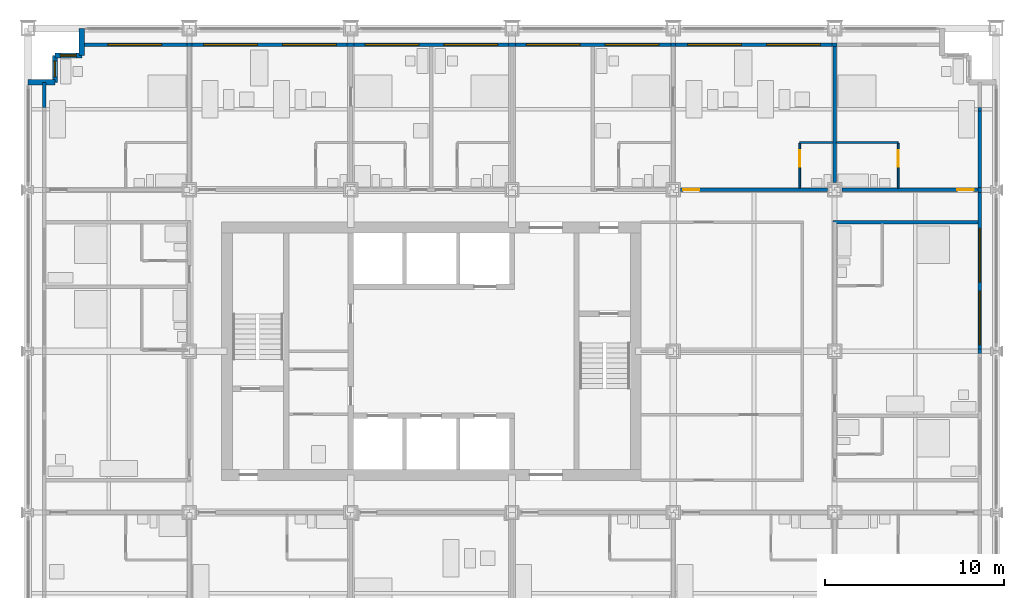
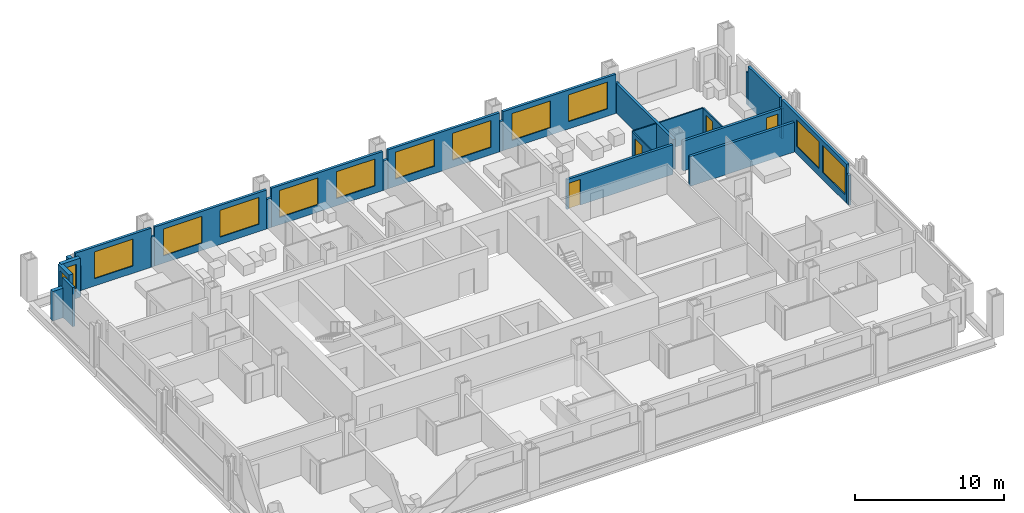
# One storey, part 14 of 18: 28 walls, 13 windows, 4 doors, 17 openings.
"""IFC4 building model written with IfcOpenShell, lengths in metres."""

from ifc_helpers import new_model, si_unit, direction, frame, frame_2d, origin, place, context, subcontext, project, spatial, rectangle, extrude, material, layer, layer_set, type_object, element, fill, save


model = new_model("IFC4")

# Units and contexts
model_context = context("Model", 3, precision=1e-05, world=origin(), true_north=direction((0.0, 1.0)))
body_context = subcontext(model_context, "Body", "Model", "MODEL_VIEW")
ifc_project = project(units=[si_unit("LENGTHUNIT", "METRE"), si_unit("AREAUNIT", "SQUARE_METRE"), si_unit("VOLUMEUNIT", "CUBIC_METRE"), si_unit("PLANEANGLEUNIT", "RADIAN"), si_unit("MASSUNIT", "GRAM", prefix="KILO")], contexts=[model_context])

# Site, building, storey
site_placement = place(None, origin())
site = spatial("IfcSite", under=ifc_project, at=site_placement, CompositionType="ELEMENT")
building_placement = place(site_placement, origin())
building = spatial("IfcBuilding", under=site, at=building_placement, Name="Loomwork Tower", CompositionType="ELEMENT")
storey_placement = place(building_placement, frame((0.0, 0.0, 48.39990234375)))
storey = spatial("IfcBuildingStorey", under=building, at=storey_placement, Name="L11", CompositionType="ELEMENT", Elevation=48.39990234375)

# Wall, opening, door
ifc_material_1 = material(Name="Gypsum board on steel studs, one-hour", Category="steel")
ifc_layer_1 = layer(ifc_material_1, 0.199951171875)
ifc_layer_set_1 = layer_set([ifc_layer_1], Name="Corridor wall 200")
wall_type_1 = type_object("IfcWallType", Name="Corridor wall 200", PredefinedType="PARTITIONING", material=ifc_layer_set_1)
wall_1_placement = place(storey_placement, frame((36.39990234375, 27.0, 0.0), z_axis=(0.0, 0.0, 1.0), x_axis=(1.0, 0.0, 0.0)))
wall_1 = element("IfcWall", 1, at=wall_1_placement, inside=storey, type_object=wall_type_1, Name="North corridor wall 5", PredefinedType="PARTITIONING", context=body_context, shape_type="SweptSolid", body=[
    extrude(rectangle(XDim=8.2001953125, YDim=0.199951171875, at=frame_2d((4.10009765625, 0.0))), origin(), (0.0, 0.0, 1.0), 2.43798828125),
])
opening_1_placement = place(wall_1_placement, frame((0.14990234375, 0.0, 0.0)))
opening_1 = element("IfcOpeningElement", 2, at=opening_1_placement, cuts=wall_1, Name="Opening D1", PredefinedType="OPENING", context=body_context, shape_type="SweptSolid", body=[
    extrude(rectangle(XDim=0.89990234375, YDim=2.10009765625, at=frame_2d((0.449951171875, 1.050048828125))), frame((0.0, 0.10986328125, 0.0), z_axis=(0.0, -1.0, 0.0), x_axis=(1.0, 0.0, 0.0)), (0.0, 0.0, 1.0), 0.219970703125),
])
ifc_material_2 = material(Name="Hollow metal door and frame")
door_type_1 = type_object("IfcDoorType", Name="Guest room entry door 900", OperationType="SINGLE_SWING_LEFT", PredefinedType="DOOR", material=ifc_material_2)
door_1_placement = place(opening_1_placement, origin())
door_1 = element("IfcDoor", 3, at=door_1_placement, inside=storey, type_object=door_type_1, Name="Guest room entry door L11 12", OperationType="SINGLE_SWING_LEFT", OverallHeight=2.10009765625, OverallWidth=0.89990234375, PredefinedType="DOOR", context=body_context, shape_type="SweptSolid", body=[
    extrude(rectangle(XDim=0.89990234375, YDim=2.10009765625, at=frame_2d((0.449951171875, 1.050048828125))), frame((0.0, 0.02490234375, 0.0), z_axis=(0.0, -1.0, 0.0), x_axis=(1.0, 0.0, 0.0)), (0.0, 0.0, 1.0), 0.050048828125),
])
fill(opening_1, door_1)

wall_2_placement = place(storey_placement, frame((45.39990234375, 27.0, 0.0), z_axis=(0.0, 0.0, 1.0), x_axis=(1.0, 0.0, 0.0)))
wall_2 = element("IfcWall", 4, at=wall_2_placement, inside=storey, type_object=wall_type_1, Name="North corridor wall 6", PredefinedType="PARTITIONING", context=body_context, shape_type="SweptSolid", body=[
    extrude(rectangle(XDim=7.60009765625, YDim=0.199951171875, at=frame_2d((3.800048828125, 0.0))), origin(), (0.0, 0.0, 1.0), 2.43798828125),
])
opening_2_placement = place(wall_2_placement, frame((6.449951171875, 0.0, 0.0)))
opening_2 = element("IfcOpeningElement", 5, at=opening_2_placement, cuts=wall_2, Name="Opening D1", PredefinedType="OPENING", context=body_context, shape_type="SweptSolid", body=[
    extrude(rectangle(XDim=0.89990234375, YDim=2.10009765625, at=frame_2d((0.449951171875, 1.050048828125))), frame((0.0, 0.10986328125, 0.0), z_axis=(0.0, -1.0, 0.0), x_axis=(1.0, 0.0, 0.0)), (0.0, 0.0, 1.0), 0.219970703125),
])
door_2_placement = place(opening_2_placement, origin())
door_2 = element("IfcDoor", 6, at=door_2_placement, inside=storey, type_object=door_type_1, Name="Guest room entry door L11 13", OperationType="SINGLE_SWING_RIGHT", OverallHeight=2.10009765625, OverallWidth=0.89990234375, PredefinedType="DOOR", context=body_context, shape_type="SweptSolid", body=[
    extrude(rectangle(XDim=0.89990234375, YDim=2.10009765625, at=frame_2d((0.449951171875, 1.050048828125))), frame((0.0, 0.02490234375, 0.0), z_axis=(0.0, -1.0, 0.0), x_axis=(1.0, 0.0, 0.0)), (0.0, 0.0, 1.0), 0.050048828125),
])
fill(opening_2, door_2)

# Walls
wall_3_placement = place(storey_placement, frame((44.89990234375, 25.199951171875, 0.0), z_axis=(0.0, 0.0, 1.0), x_axis=(1.0, 0.0, 0.0)))
element("IfcWall", 7, at=wall_3_placement, inside=storey, type_object=wall_type_1, Name="East band end wall N", PredefinedType="PARTITIONING", context=body_context, shape_type="SweptSolid", body=[
    extrude(rectangle(XDim=8.10009765625, YDim=0.199951171875, at=frame_2d((4.050048828125, 0.0))), origin(), (0.0, 0.0, 1.0), 2.43798828125),
])
ifc_material_3 = material(Name="Cement board on steel studs", Category="steel")
ifc_layer_2 = layer(ifc_material_3, 0.10009765625)
ifc_layer_set_2 = layer_set([ifc_layer_2], Name="En-suite partition 100")
wall_type_2 = type_object("IfcWallType", Name="En-suite partition 100", PredefinedType="PARTITIONING", material=ifc_layer_set_2)
wall_4_placement = place(storey_placement, frame((43.050048828125, 29.64990234375, 0.0), z_axis=(0.0, 0.0, 1.0), x_axis=(1.0, 0.0, 0.0)))
element("IfcWall", 8, at=wall_4_placement, inside=storey, type_object=wall_type_2, Name="En-suite wall L11 room 12", PredefinedType="PARTITIONING", context=body_context, shape_type="SweptSolid", body=[
    extrude(rectangle(XDim=1.849853515625, YDim=0.10009765625, at=frame_2d((0.9248046875, 0.0))), origin(), (0.0, 0.0, 1.0), 2.43798828125),
])

# Wall, opening, door
wall_5_placement = place(storey_placement, frame((43.050048828125, 27.10009765625, 0.0), z_axis=(0.0, 0.0, 1.0), x_axis=(0.0, 1.0, 0.0)))
wall_5 = element("IfcWall", 9, at=wall_5_placement, inside=storey, type_object=wall_type_2, Name="En-suite side wall L11 room 12", PredefinedType="PARTITIONING", context=body_context, shape_type="SweptSolid", body=[
    extrude(rectangle(XDim=2.5, YDim=0.10009765625, at=frame_2d((1.25, 0.0))), origin(), (0.0, 0.0, 1.0), 2.43798828125),
])
opening_3_placement = place(wall_5_placement, frame((1.199951171875, 0.0, 0.0)))
opening_3 = element("IfcOpeningElement", 10, at=opening_3_placement, cuts=wall_5, Name="Opening D2", PredefinedType="OPENING", context=body_context, shape_type="SweptSolid", body=[
    extrude(rectangle(XDim=0.89990234375, YDim=2.10009765625, at=frame_2d((0.449951171875, 1.050048828125))), frame((0.0, 0.06005859375, 0.0), z_axis=(0.0, -1.0, 0.0), x_axis=(1.0, 0.0, 0.0)), (0.0, 0.0, 1.0), 0.1201171875),
])
ifc_material_4 = material(Name="Hollow metal door and frame")
door_type_2 = type_object("IfcDoorType", Name="En-suite door 900", OperationType="SINGLE_SWING_LEFT", PredefinedType="DOOR", material=ifc_material_4)
door_3_placement = place(opening_3_placement, frame((0.89990234375, 0.0, 0.0), z_axis=(0.0, 0.0, 1.0), x_axis=(-1.0, 0.0, 0.0)))
door_3 = element("IfcDoor", 11, at=door_3_placement, inside=storey, type_object=door_type_2, Name="Suite powder room door room 12", OperationType="SINGLE_SWING_LEFT", OverallHeight=2.10009765625, OverallWidth=0.89990234375, PredefinedType="DOOR", context=body_context, shape_type="SweptSolid", body=[
    extrude(rectangle(XDim=0.89990234375, YDim=2.10009765625, at=frame_2d((0.449951171875, 1.050048828125))), frame((0.0, 0.02490234375, 0.0), z_axis=(0.0, -1.0, 0.0), x_axis=(1.0, 0.0, 0.0)), (0.0, 0.0, 1.0), 0.050048828125),
])
fill(opening_3, door_3)

# Wall
wall_6_placement = place(storey_placement, frame((45.10009765625, 29.64990234375, 0.0), z_axis=(0.0, 0.0, 1.0), x_axis=(1.0, 0.0, 0.0)))
element("IfcWall", 12, at=wall_6_placement, inside=storey, type_object=wall_type_2, Name="En-suite wall L11 room 13", PredefinedType="PARTITIONING", context=body_context, shape_type="SweptSolid", body=[
    extrude(rectangle(XDim=3.449951171875, YDim=0.10009765625, at=frame_2d((1.72509765625, 0.0))), origin(), (0.0, 0.0, 1.0), 2.43798828125),
])

# Wall, opening, door
wall_7_placement = place(storey_placement, frame((48.550048828125, 27.10009765625, 0.0), z_axis=(0.0, 0.0, 1.0), x_axis=(0.0, 1.0, 0.0)))
wall_7 = element("IfcWall", 13, at=wall_7_placement, inside=storey, type_object=wall_type_2, Name="En-suite side wall L11 room 13", PredefinedType="PARTITIONING", context=body_context, shape_type="SweptSolid", body=[
    extrude(rectangle(XDim=2.5, YDim=0.10009765625, at=frame_2d((1.25, 0.0))), origin(), (0.0, 0.0, 1.0), 2.43798828125),
])
opening_4_placement = place(wall_7_placement, frame((1.199951171875, 0.0, 0.0)))
opening_4 = element("IfcOpeningElement", 14, at=opening_4_placement, cuts=wall_7, Name="Opening D2", PredefinedType="OPENING", context=body_context, shape_type="SweptSolid", body=[
    extrude(rectangle(XDim=0.89990234375, YDim=2.10009765625, at=frame_2d((0.449951171875, 1.050048828125))), frame((0.0, 0.06005859375, 0.0), z_axis=(0.0, -1.0, 0.0), x_axis=(1.0, 0.0, 0.0)), (0.0, 0.0, 1.0), 0.1201171875),
])
door_4_placement = place(opening_4_placement, origin())
door_4 = element("IfcDoor", 15, at=door_4_placement, inside=storey, type_object=door_type_2, Name="En-suite door room 13", OperationType="SINGLE_SWING_RIGHT", OverallHeight=2.10009765625, OverallWidth=0.89990234375, PredefinedType="DOOR", context=body_context, shape_type="SweptSolid", body=[
    extrude(rectangle(XDim=0.89990234375, YDim=2.10009765625, at=frame_2d((0.449951171875, 1.050048828125))), frame((0.0, 0.02490234375, 0.0), z_axis=(0.0, -1.0, 0.0), x_axis=(1.0, 0.0, 0.0)), (0.0, 0.0, 1.0), 0.050048828125),
])
fill(opening_4, door_4)

# Wall
ifc_material_5 = material(Name="Gypsum board on steel studs, acoustic", Category="steel")
ifc_layer_3 = layer(ifc_material_5, 0.199951171875)
ifc_layer_set_3 = layer_set([ifc_layer_3], Name="Guest room party wall 200")
wall_type_3 = type_object("IfcWallType", Name="Guest room party wall 200", PredefinedType="PARTITIONING", material=ifc_layer_set_3)
wall_8_placement = place(storey_placement, frame((45.0, 27.39990234375, 0.0), z_axis=(0.0, 0.0, 1.0), x_axis=(0.0, 1.0, 0.0)))
element("IfcWall", 16, at=wall_8_placement, inside=storey, type_object=wall_type_3, Name="Guest room party wall N 45", PredefinedType="PARTITIONING", context=body_context, shape_type="SweptSolid", body=[
    extrude(rectangle(XDim=7.60009765625, YDim=0.199951171875, at=frame_2d((3.800048828125, 0.0))), origin(), (0.0, 0.0, 1.0), 2.43798828125),
])

# Wall, opening, window
ifc_material_6 = material(Name="Insulated steel stud wall with gypsum lining", Category="steel")
ifc_layer_4 = layer(ifc_material_6, 0.199951171875)
ifc_layer_set_4 = layer_set([ifc_layer_4], Name="Inner skin wall 200")
wall_type_4 = type_object("IfcWallType", Name="Inner skin wall 200", PredefinedType="SOLIDWALL", material=ifc_layer_set_4)
wall_9_placement = place(storey_placement, frame((3.0, 35.10009765625, 0.0), z_axis=(0.0, 0.0, 1.0), x_axis=(1.0, 0.0, 0.0)))
wall_9 = element("IfcWall", 17, at=wall_9_placement, inside=storey, type_object=wall_type_4, Name="Inner skin wall N", PredefinedType="SOLIDWALL", context=body_context, shape_type="SweptSolid", body=[
    extrude(rectangle(XDim=5.86474609375, YDim=0.199951171875, at=frame_2d((2.932373046875, 0.0))), origin(), (0.0, 0.0, 1.0), 3.2001953125),
])
opening_5_placement = place(wall_9_placement, frame((1.449951171875, 0.0, 0.60009765625)))
opening_5 = element("IfcOpeningElement", 18, at=opening_5_placement, cuts=wall_9, Name="Opening CH1", PredefinedType="OPENING", context=body_context, shape_type="SweptSolid", body=[
    extrude(rectangle(XDim=3.0, YDim=2.199951171875, at=frame_2d((1.5, 1.10009765625))), frame((0.0, 0.10986328125, 0.0), z_axis=(0.0, -1.0, 0.0), x_axis=(1.0, 0.0, 0.0)), (0.0, 0.0, 1.0), 0.219970703125),
])
ifc_material_7 = material(Name="Aluminium frame with clear insulated glass", Category="aluminium")
window_type_1 = type_object("IfcWindowType", Name="Chicago window 3000", PartitioningType="TRIPLE_PANEL_VERTICAL", PredefinedType="WINDOW", material=ifc_material_7)
window_1_placement = place(opening_5_placement, origin())
window_1 = element("IfcWindow", 19, at=window_1_placement, inside=storey, type_object=window_type_1, Name="Chicago window L11 bay 7", OverallHeight=2.199951171875, OverallWidth=3.0, PartitioningType="TRIPLE_PANEL_VERTICAL", PredefinedType="WINDOW", context=body_context, shape_type="SweptSolid", body=[
    extrude(rectangle(XDim=3.0, YDim=2.199951171875, at=frame_2d((1.5, 1.10009765625))), frame((0.0, 0.030029296875, 0.0), z_axis=(0.0, -1.0, 0.0), x_axis=(1.0, 0.0, 0.0)), (0.0, 0.0, 1.0), 0.06005859375),
])
fill(opening_5, window_1)

# Walls
wall_10_placement = place(storey_placement, frame((0.89990234375, 31.607421875, 0.0), z_axis=(0.0, 0.0, 1.0), x_axis=(0.0, 1.0, 0.0)))
element("IfcWall", 20, at=wall_10_placement, inside=storey, type_object=wall_type_4, Name="Inner skin wall W bay 11", PredefinedType="SOLIDWALL", context=body_context, shape_type="SweptSolid", body=[
    extrude(rectangle(XDim=1.392578125, YDim=0.199951171875, at=frame_2d((0.6962890625, 0.0))), origin(), (0.0, 0.0, 1.0), 3.2001953125),
])
wall_11_placement = place(storey_placement, frame((8.86474609375, 35.10009765625, 0.0), z_axis=(0.0, 0.0, 1.0), x_axis=(1.0, 0.0, 0.0)))
element("IfcWall", 21, at=wall_11_placement, inside=storey, type_object=wall_type_4, Name="Inner skin wall N bay 2", PredefinedType="SOLIDWALL", context=body_context, shape_type="SweptSolid", body=[
    extrude(rectangle(XDim=0.2705078125, YDim=0.199951171875, at=frame_2d((0.13525390625, 0.0))), origin(), (0.0, 0.0, 1.0), 2.43798828125),
])

# Wall, openings, windows
wall_12_placement = place(storey_placement, frame((9.13525390625, 35.10009765625, 0.0), z_axis=(0.0, 0.0, 1.0), x_axis=(1.0, 0.0, 0.0)))
wall_12 = element("IfcWall", 22, at=wall_12_placement, inside=storey, type_object=wall_type_4, Name="Inner skin wall N bay 3", PredefinedType="SOLIDWALL", context=body_context, shape_type="SweptSolid", body=[
    extrude(rectangle(XDim=8.6708984375, YDim=0.199951171875, at=frame_2d((4.33544921875, 0.0))), origin(), (0.0, 0.0, 1.0), 3.2001953125),
])
opening_6_placement = place(wall_12_placement, frame((0.664794921875, 0.0, 0.60009765625)))
opening_6 = element("IfcOpeningElement", 23, at=opening_6_placement, cuts=wall_12, Name="Opening CH1", PredefinedType="OPENING", context=body_context, shape_type="SweptSolid", body=[
    extrude(rectangle(XDim=3.0, YDim=2.199951171875, at=frame_2d((1.5, 1.10009765625))), frame((0.0, 0.10986328125, 0.0), z_axis=(0.0, -1.0, 0.0), x_axis=(1.0, 0.0, 0.0)), (0.0, 0.0, 1.0), 0.219970703125),
])
opening_7_placement = place(wall_12_placement, frame((5.064697265625, 0.0, 0.60009765625)))
opening_7 = element("IfcOpeningElement", 24, at=opening_7_placement, cuts=wall_12, Name="Opening CH1", PredefinedType="OPENING", context=body_context, shape_type="SweptSolid", body=[
    extrude(rectangle(XDim=3.0, YDim=2.199951171875, at=frame_2d((1.5, 1.10009765625))), frame((0.0, 0.10986328125, 0.0), z_axis=(0.0, -1.0, 0.0), x_axis=(1.0, 0.0, 0.0)), (0.0, 0.0, 1.0), 0.219970703125),
])
window_2_placement = place(opening_6_placement, origin())
window_2 = element("IfcWindow", 25, at=window_2_placement, inside=storey, type_object=window_type_1, Name="Chicago window L11 bay 8", OverallHeight=2.199951171875, OverallWidth=3.0, PartitioningType="TRIPLE_PANEL_VERTICAL", PredefinedType="WINDOW", context=body_context, shape_type="SweptSolid", body=[
    extrude(rectangle(XDim=3.0, YDim=2.199951171875, at=frame_2d((1.5, 1.10009765625))), frame((0.0, 0.030029296875, 0.0), z_axis=(0.0, -1.0, 0.0), x_axis=(1.0, 0.0, 0.0)), (0.0, 0.0, 1.0), 0.06005859375),
])
fill(opening_6, window_2)
window_3_placement = place(opening_7_placement, origin())
window_3 = element("IfcWindow", 26, at=window_3_placement, inside=storey, type_object=window_type_1, Name="Chicago window L11 bay 8", OverallHeight=2.199951171875, OverallWidth=3.0, PartitioningType="TRIPLE_PANEL_VERTICAL", PredefinedType="WINDOW", context=body_context, shape_type="SweptSolid", body=[
    extrude(rectangle(XDim=3.0, YDim=2.199951171875, at=frame_2d((1.5, 1.10009765625))), frame((0.0, 0.030029296875, 0.0), z_axis=(0.0, -1.0, 0.0), x_axis=(1.0, 0.0, 0.0)), (0.0, 0.0, 1.0), 0.06005859375),
])
fill(opening_7, window_3)

# Wall
wall_13_placement = place(storey_placement, frame((17.80615234375, 35.10009765625, 0.0), z_axis=(0.0, 0.0, 1.0), x_axis=(1.0, 0.0, 0.0)))
element("IfcWall", 27, at=wall_13_placement, inside=storey, type_object=wall_type_4, Name="Inner skin wall N bay 4", PredefinedType="SOLIDWALL", context=body_context, shape_type="SweptSolid", body=[
    extrude(rectangle(XDim=0.3876953125, YDim=0.199951171875, at=frame_2d((0.19384765625, 0.0))), origin(), (0.0, 0.0, 1.0), 2.404052734375),
])

# Wall, openings, windows
wall_14_placement = place(storey_placement, frame((18.19384765625, 35.10009765625, 0.0), z_axis=(0.0, 0.0, 1.0), x_axis=(1.0, 0.0, 0.0)))
wall_14 = element("IfcWall", 28, at=wall_14_placement, inside=storey, type_object=wall_type_4, Name="Inner skin wall N bay 5", PredefinedType="SOLIDWALL", context=body_context, shape_type="SweptSolid", body=[
    extrude(rectangle(XDim=8.6123046875, YDim=0.199951171875, at=frame_2d((4.30615234375, 0.0))), origin(), (0.0, 0.0, 1.0), 3.2001953125),
])
opening_8_placement = place(wall_14_placement, frame((0.606201171875, 0.0, 0.60009765625)))
opening_8 = element("IfcOpeningElement", 29, at=opening_8_placement, cuts=wall_14, Name="Opening CH1", PredefinedType="OPENING", context=body_context, shape_type="SweptSolid", body=[
    extrude(rectangle(XDim=3.0, YDim=2.199951171875, at=frame_2d((1.5, 1.10009765625))), frame((0.0, 0.10986328125, 0.0), z_axis=(0.0, -1.0, 0.0), x_axis=(1.0, 0.0, 0.0)), (0.0, 0.0, 1.0), 0.219970703125),
])
opening_9_placement = place(wall_14_placement, frame((5.006103515625, 0.0, 0.60009765625)))
opening_9 = element("IfcOpeningElement", 30, at=opening_9_placement, cuts=wall_14, Name="Opening CH1", PredefinedType="OPENING", context=body_context, shape_type="SweptSolid", body=[
    extrude(rectangle(XDim=3.0, YDim=2.199951171875, at=frame_2d((1.5, 1.10009765625))), frame((0.0, 0.10986328125, 0.0), z_axis=(0.0, -1.0, 0.0), x_axis=(1.0, 0.0, 0.0)), (0.0, 0.0, 1.0), 0.219970703125),
])
window_4_placement = place(opening_8_placement, origin())
window_4 = element("IfcWindow", 31, at=window_4_placement, inside=storey, type_object=window_type_1, Name="Chicago window L11 bay 9", OverallHeight=2.199951171875, OverallWidth=3.0, PartitioningType="TRIPLE_PANEL_VERTICAL", PredefinedType="WINDOW", context=body_context, shape_type="SweptSolid", body=[
    extrude(rectangle(XDim=3.0, YDim=2.199951171875, at=frame_2d((1.5, 1.10009765625))), frame((0.0, 0.030029296875, 0.0), z_axis=(0.0, -1.0, 0.0), x_axis=(1.0, 0.0, 0.0)), (0.0, 0.0, 1.0), 0.06005859375),
])
fill(opening_8, window_4)
window_5_placement = place(opening_9_placement, origin())
window_5 = element("IfcWindow", 32, at=window_5_placement, inside=storey, type_object=window_type_1, Name="Chicago window L11 bay 9", OverallHeight=2.199951171875, OverallWidth=3.0, PartitioningType="TRIPLE_PANEL_VERTICAL", PredefinedType="WINDOW", context=body_context, shape_type="SweptSolid", body=[
    extrude(rectangle(XDim=3.0, YDim=2.199951171875, at=frame_2d((1.5, 1.10009765625))), frame((0.0, 0.030029296875, 0.0), z_axis=(0.0, -1.0, 0.0), x_axis=(1.0, 0.0, 0.0)), (0.0, 0.0, 1.0), 0.06005859375),
])
fill(opening_9, window_5)

# Wall
wall_15_placement = place(storey_placement, frame((26.80615234375, 35.10009765625, 0.0), z_axis=(0.0, 0.0, 1.0), x_axis=(1.0, 0.0, 0.0)))
element("IfcWall", 33, at=wall_15_placement, inside=storey, type_object=wall_type_4, Name="Inner skin wall N bay 6", PredefinedType="SOLIDWALL", context=body_context, shape_type="SweptSolid", body=[
    extrude(rectangle(XDim=0.3876953125, YDim=0.199951171875, at=frame_2d((0.19384765625, 0.0))), origin(), (0.0, 0.0, 1.0), 2.404052734375),
])

# Wall, openings, windows
wall_16_placement = place(storey_placement, frame((27.19384765625, 35.10009765625, 0.0), z_axis=(0.0, 0.0, 1.0), x_axis=(1.0, 0.0, 0.0)))
wall_16 = element("IfcWall", 34, at=wall_16_placement, inside=storey, type_object=wall_type_4, Name="Inner skin wall N bay 7", PredefinedType="SOLIDWALL", context=body_context, shape_type="SweptSolid", body=[
    extrude(rectangle(XDim=8.670654296875, YDim=0.199951171875, at=frame_2d((4.33544921875, 0.0))), origin(), (0.0, 0.0, 1.0), 3.2001953125),
])
opening_10_placement = place(wall_16_placement, frame((0.606201171875, 0.0, 0.60009765625)))
opening_10 = element("IfcOpeningElement", 35, at=opening_10_placement, cuts=wall_16, Name="Opening CH1", PredefinedType="OPENING", context=body_context, shape_type="SweptSolid", body=[
    extrude(rectangle(XDim=3.0, YDim=2.199951171875, at=frame_2d((1.5, 1.10009765625))), frame((0.0, 0.10986328125, 0.0), z_axis=(0.0, -1.0, 0.0), x_axis=(1.0, 0.0, 0.0)), (0.0, 0.0, 1.0), 0.219970703125),
])
opening_11_placement = place(wall_16_placement, frame((5.006103515625, 0.0, 0.60009765625)))
opening_11 = element("IfcOpeningElement", 36, at=opening_11_placement, cuts=wall_16, Name="Opening CH1", PredefinedType="OPENING", context=body_context, shape_type="SweptSolid", body=[
    extrude(rectangle(XDim=3.0, YDim=2.199951171875, at=frame_2d((1.5, 1.10009765625))), frame((0.0, 0.10986328125, 0.0), z_axis=(0.0, -1.0, 0.0), x_axis=(1.0, 0.0, 0.0)), (0.0, 0.0, 1.0), 0.219970703125),
])
window_6_placement = place(opening_10_placement, origin())
window_6 = element("IfcWindow", 37, at=window_6_placement, inside=storey, type_object=window_type_1, Name="Chicago window L11 bay 10", OverallHeight=2.199951171875, OverallWidth=3.0, PartitioningType="TRIPLE_PANEL_VERTICAL", PredefinedType="WINDOW", context=body_context, shape_type="SweptSolid", body=[
    extrude(rectangle(XDim=3.0, YDim=2.199951171875, at=frame_2d((1.5, 1.10009765625))), frame((0.0, 0.030029296875, 0.0), z_axis=(0.0, -1.0, 0.0), x_axis=(1.0, 0.0, 0.0)), (0.0, 0.0, 1.0), 0.06005859375),
])
fill(opening_10, window_6)
window_7_placement = place(opening_11_placement, origin())
window_7 = element("IfcWindow", 38, at=window_7_placement, inside=storey, type_object=window_type_1, Name="Chicago window L11 bay 10", OverallHeight=2.199951171875, OverallWidth=3.0, PartitioningType="TRIPLE_PANEL_VERTICAL", PredefinedType="WINDOW", context=body_context, shape_type="SweptSolid", body=[
    extrude(rectangle(XDim=3.0, YDim=2.199951171875, at=frame_2d((1.5, 1.10009765625))), frame((0.0, 0.030029296875, 0.0), z_axis=(0.0, -1.0, 0.0), x_axis=(1.0, 0.0, 0.0)), (0.0, 0.0, 1.0), 0.06005859375),
])
fill(opening_11, window_7)

# Wall
wall_17_placement = place(storey_placement, frame((35.864501953125, 35.10009765625, 0.0), z_axis=(0.0, 0.0, 1.0), x_axis=(1.0, 0.0, 0.0)))
element("IfcWall", 39, at=wall_17_placement, inside=storey, type_object=wall_type_4, Name="Inner skin wall N bay 8", PredefinedType="SOLIDWALL", context=body_context, shape_type="SweptSolid", body=[
    extrude(rectangle(XDim=0.27099609375, YDim=0.199951171875, at=frame_2d((0.135498046875, 0.0))), origin(), (0.0, 0.0, 1.0), 2.43798828125),
])

# Wall, openings, windows
wall_18_placement = place(storey_placement, frame((36.135498046875, 35.10009765625, 0.0), z_axis=(0.0, 0.0, 1.0), x_axis=(1.0, 0.0, 0.0)))
wall_18 = element("IfcWall", 40, at=wall_18_placement, inside=storey, type_object=wall_type_4, Name="Inner skin wall N bay 9", PredefinedType="SOLIDWALL", context=body_context, shape_type="SweptSolid", body=[
    extrude(rectangle(XDim=8.72900390625, YDim=0.199951171875, at=frame_2d((4.364501953125, 0.0))), origin(), (0.0, 0.0, 1.0), 3.2001953125),
])
opening_12_placement = place(wall_18_placement, frame((0.66455078125, 0.0, 0.60009765625)))
opening_12 = element("IfcOpeningElement", 41, at=opening_12_placement, cuts=wall_18, Name="Opening CH1", PredefinedType="OPENING", context=body_context, shape_type="SweptSolid", body=[
    extrude(rectangle(XDim=3.0, YDim=2.199951171875, at=frame_2d((1.5, 1.10009765625))), frame((0.0, 0.10986328125, 0.0), z_axis=(0.0, -1.0, 0.0), x_axis=(1.0, 0.0, 0.0)), (0.0, 0.0, 1.0), 0.219970703125),
])
opening_13_placement = place(wall_18_placement, frame((5.064697265625, 0.0, 0.60009765625)))
opening_13 = element("IfcOpeningElement", 42, at=opening_13_placement, cuts=wall_18, Name="Opening CH1", PredefinedType="OPENING", context=body_context, shape_type="SweptSolid", body=[
    extrude(rectangle(XDim=3.0, YDim=2.199951171875, at=frame_2d((1.5, 1.10009765625))), frame((0.0, 0.10986328125, 0.0), z_axis=(0.0, -1.0, 0.0), x_axis=(1.0, 0.0, 0.0)), (0.0, 0.0, 1.0), 0.219970703125),
])
window_8_placement = place(opening_12_placement, origin())
window_8 = element("IfcWindow", 43, at=window_8_placement, inside=storey, type_object=window_type_1, Name="Chicago window L11 bay 11", OverallHeight=2.199951171875, OverallWidth=3.0, PartitioningType="TRIPLE_PANEL_VERTICAL", PredefinedType="WINDOW", context=body_context, shape_type="SweptSolid", body=[
    extrude(rectangle(XDim=3.0, YDim=2.199951171875, at=frame_2d((1.5, 1.10009765625))), frame((0.0, 0.030029296875, 0.0), z_axis=(0.0, -1.0, 0.0), x_axis=(1.0, 0.0, 0.0)), (0.0, 0.0, 1.0), 0.06005859375),
])
fill(opening_12, window_8)
window_9_placement = place(opening_13_placement, origin())
window_9 = element("IfcWindow", 44, at=window_9_placement, inside=storey, type_object=window_type_1, Name="Chicago window L11 bay 11", OverallHeight=2.199951171875, OverallWidth=3.0, PartitioningType="TRIPLE_PANEL_VERTICAL", PredefinedType="WINDOW", context=body_context, shape_type="SweptSolid", body=[
    extrude(rectangle(XDim=3.0, YDim=2.199951171875, at=frame_2d((1.5, 1.10009765625))), frame((0.0, 0.030029296875, 0.0), z_axis=(0.0, -1.0, 0.0), x_axis=(1.0, 0.0, 0.0)), (0.0, 0.0, 1.0), 0.06005859375),
])
fill(opening_13, window_9)

# Walls
for number, where, z_axis, x_axis, name in (
    (45, (44.864501953125, 35.10009765625, 0.0), (0.0, 0.0, 1.0), (1.0, 0.0, 0.0), "Inner skin wall N bay 10"),
    (46, (53.10009765625, 17.864501953125, 0.0), (0.0, 0.0, 1.0), (0.0, 1.0, 0.0), "Inner skin wall E bay 6"),
):
    element("IfcWall", number, at=place(storey_placement, frame(where, z_axis=z_axis, x_axis=x_axis)), inside=storey, type_object=wall_type_4, Name=name, PredefinedType="SOLIDWALL", context=body_context, shape_type="SweptSolid", body=[
        extrude(rectangle(XDim=0.27099609375, YDim=0.199951171875, at=frame_2d((0.135498046875, 0.0))), origin(), (0.0, 0.0, 1.0), 2.43798828125),
    ])

# Wall, openings, windows
wall_19_placement = place(storey_placement, frame((53.10009765625, 18.135498046875, 0.0), z_axis=(0.0, 0.0, 1.0), x_axis=(0.0, 1.0, 0.0)))
wall_19 = element("IfcWall", 47, at=wall_19_placement, inside=storey, type_object=wall_type_4, Name="Inner skin wall E bay 7", PredefinedType="SOLIDWALL", context=body_context, shape_type="SweptSolid", body=[
    extrude(rectangle(XDim=8.729248046875, YDim=0.199951171875, at=frame_2d((4.36474609375, 0.0))), origin(), (0.0, 0.0, 1.0), 3.2001953125),
])
opening_14_placement = place(wall_19_placement, frame((0.214599609375, 0.0, 0.60009765625)))
opening_14 = element("IfcOpeningElement", 48, at=opening_14_placement, cuts=wall_19, Name="Opening CH1", PredefinedType="OPENING", context=body_context, shape_type="SweptSolid", body=[
    extrude(rectangle(XDim=3.0, YDim=2.199951171875, at=frame_2d((1.5, 1.10009765625))), frame((0.0, 0.10986328125, 0.0), z_axis=(0.0, -1.0, 0.0), x_axis=(1.0, 0.0, 0.0)), (0.0, 0.0, 1.0), 0.219970703125),
])
opening_15_placement = place(wall_19_placement, frame((3.714599609375, 0.0, 0.60009765625)))
opening_15 = element("IfcOpeningElement", 49, at=opening_15_placement, cuts=wall_19, Name="Opening CH1", PredefinedType="OPENING", context=body_context, shape_type="SweptSolid", body=[
    extrude(rectangle(XDim=3.0, YDim=2.199951171875, at=frame_2d((1.5, 1.10009765625))), frame((0.0, 0.10986328125, 0.0), z_axis=(0.0, -1.0, 0.0), x_axis=(1.0, 0.0, 0.0)), (0.0, 0.0, 1.0), 0.219970703125),
])
window_10_placement = place(opening_14_placement, origin())
window_10 = element("IfcWindow", 50, at=window_10_placement, inside=storey, type_object=window_type_1, Name="Chicago window L11 bay 16", OverallHeight=2.199951171875, OverallWidth=3.0, PartitioningType="TRIPLE_PANEL_VERTICAL", PredefinedType="WINDOW", context=body_context, shape_type="SweptSolid", body=[
    extrude(rectangle(XDim=3.0, YDim=2.199951171875, at=frame_2d((1.5, 1.10009765625))), frame((0.0, 0.030029296875, 0.0), z_axis=(0.0, -1.0, 0.0), x_axis=(1.0, 0.0, 0.0)), (0.0, 0.0, 1.0), 0.06005859375),
])
fill(opening_14, window_10)
window_11_placement = place(opening_15_placement, origin())
window_11 = element("IfcWindow", 51, at=window_11_placement, inside=storey, type_object=window_type_1, Name="Chicago window L11 bay 16", OverallHeight=2.199951171875, OverallWidth=3.0, PartitioningType="TRIPLE_PANEL_VERTICAL", PredefinedType="WINDOW", context=body_context, shape_type="SweptSolid", body=[
    extrude(rectangle(XDim=3.0, YDim=2.199951171875, at=frame_2d((1.5, 1.10009765625))), frame((0.0, 0.030029296875, 0.0), z_axis=(0.0, -1.0, 0.0), x_axis=(1.0, 0.0, 0.0)), (0.0, 0.0, 1.0), 0.06005859375),
])
fill(opening_15, window_11)

# Walls
wall_20_placement = place(storey_placement, frame((53.10009765625, 26.86474609375, 0.0), z_axis=(0.0, 0.0, 1.0), x_axis=(0.0, 1.0, 0.0)))
element("IfcWall", 52, at=wall_20_placement, inside=storey, type_object=wall_type_4, Name="Inner skin wall E bay 8", PredefinedType="SOLIDWALL", context=body_context, shape_type="SweptSolid", body=[
    extrude(rectangle(XDim=0.2705078125, YDim=0.199951171875, at=frame_2d((0.13525390625, 0.0))), origin(), (0.0, 0.0, 1.0), 2.43798828125),
])
wall_21_placement = place(storey_placement, frame((53.10009765625, 27.13525390625, 0.0), z_axis=(0.0, 0.0, 1.0), x_axis=(0.0, 1.0, 0.0)))
element("IfcWall", 53, at=wall_21_placement, inside=storey, type_object=wall_type_4, Name="Inner skin wall E bay 9", PredefinedType="SOLIDWALL", context=body_context, shape_type="SweptSolid", body=[
    extrude(rectangle(XDim=4.25732421875, YDim=0.199951171875, at=frame_2d((2.128662109375, 0.0))), origin(), (0.0, 0.0, 1.0), 3.2001953125),
])
wall_22_placement = place(storey_placement, frame((53.10009765625, 31.392578125, 0.0), z_axis=(0.0, 0.0, 1.0), x_axis=(0.0, 1.0, 0.0)))
element("IfcWall", 54, at=wall_22_placement, inside=storey, type_object=wall_type_4, Name="Inner skin wall E bay 10", PredefinedType="SOLIDWALL", context=body_context, shape_type="SweptSolid", body=[
    extrude(rectangle(XDim=0.21484375, YDim=0.199951171875, at=frame_2d((0.107421875, 0.0))), origin(), (0.0, 0.0, 1.0), 2.6611328125),
])
ifc_material_8 = material(Name="Limestone on concrete masonry", Category="masonry")
ifc_layer_5 = layer(ifc_material_8, 0.300048828125)
ifc_layer_set_5 = layer_set([ifc_layer_5], Name="Limestone corner wall 300")
wall_type_5 = type_object("IfcWallType", Name="Limestone corner wall 300", PredefinedType="SOLIDWALL", material=ifc_layer_set_5)
wall_23_placement = place(storey_placement, frame((3.0, 36.0, 0.0), z_axis=(0.0, 0.0, 1.0), x_axis=(0.0, -1.0, 0.0)))
element("IfcWall", 55, at=wall_23_placement, inside=storey, type_object=wall_type_5, Name="Stone corner wall NW 1", PredefinedType="SOLIDWALL", context=body_context, shape_type="SweptSolid", body=[
    extrude(rectangle(XDim=1.5, YDim=0.300048828125, at=frame_2d((0.75, 0.0))), origin(), (0.0, 0.0, 1.0), 2.420166015625),
])

# Wall, opening, window
wall_24_placement = place(storey_placement, frame((3.0, 34.5, 0.0), z_axis=(0.0, 0.0, 1.0), x_axis=(-1.0, 0.0, 0.0)))
wall_24 = element("IfcWall", 56, at=wall_24_placement, inside=storey, type_object=wall_type_5, Name="Stone corner wall NW 2", PredefinedType="SOLIDWALL", context=body_context, shape_type="SweptSolid", body=[
    extrude(rectangle(XDim=1.5, YDim=0.300048828125, at=frame_2d((0.75, 0.0))), origin(), (0.0, 0.0, 1.0), 3.2001953125),
])
opening_16_placement = place(wall_24_placement, frame((0.300048828125, 0.0, 0.60009765625)))
opening_16 = element("IfcOpeningElement", 57, at=opening_16_placement, cuts=wall_24, Name="Opening CH2", PredefinedType="OPENING", context=body_context, shape_type="SweptSolid", body=[
    extrude(rectangle(XDim=0.89990234375, YDim=2.199951171875, at=frame_2d((0.449951171875, 1.10009765625))), frame((0.0, 0.159912109375, 0.0), z_axis=(0.0, -1.0, 0.0), x_axis=(1.0, 0.0, 0.0)), (0.0, 0.0, 1.0), 0.320068359375),
])
ifc_material_9 = material(Name="Aluminium frame with clear insulated glass", Category="aluminium")
window_type_2 = type_object("IfcWindowType", Name="Corner window 900", PartitioningType="SINGLE_PANEL", PredefinedType="WINDOW", material=ifc_material_9)
window_12_placement = place(opening_16_placement, origin())
window_12 = element("IfcWindow", 58, at=window_12_placement, inside=storey, type_object=window_type_2, Name="Corner window NW", OverallHeight=2.199951171875, OverallWidth=0.89990234375, PartitioningType="SINGLE_PANEL", PredefinedType="WINDOW", context=body_context, shape_type="SweptSolid", body=[
    extrude(rectangle(XDim=0.89990234375, YDim=2.199951171875, at=frame_2d((0.449951171875, 1.10009765625))), frame((0.0, 0.030029296875, 0.0), z_axis=(0.0, -1.0, 0.0), x_axis=(1.0, 0.0, 0.0)), (0.0, 0.0, 1.0), 0.06005859375),
])
fill(opening_16, window_12)

wall_25_placement = place(storey_placement, frame((1.5, 34.5, 0.0), z_axis=(0.0, 0.0, 1.0), x_axis=(0.0, -1.0, 0.0)))
wall_25 = element("IfcWall", 59, at=wall_25_placement, inside=storey, type_object=wall_type_5, Name="Stone corner wall NW 3", PredefinedType="SOLIDWALL", context=body_context, shape_type="SweptSolid", body=[
    extrude(rectangle(XDim=1.5, YDim=0.300048828125, at=frame_2d((0.75, 0.0))), origin(), (0.0, 0.0, 1.0), 3.2001953125),
])
opening_17_placement = place(wall_25_placement, frame((0.300048828125, 0.0, 0.60009765625)))
opening_17 = element("IfcOpeningElement", 60, at=opening_17_placement, cuts=wall_25, Name="Opening CH2", PredefinedType="OPENING", context=body_context, shape_type="SweptSolid", body=[
    extrude(rectangle(XDim=0.89990234375, YDim=2.199951171875, at=frame_2d((0.449951171875, 1.10009765625))), frame((0.0, 0.159912109375, 0.0), z_axis=(0.0, -1.0, 0.0), x_axis=(1.0, 0.0, 0.0)), (0.0, 0.0, 1.0), 0.320068359375),
])
window_13_placement = place(opening_17_placement, origin())
window_13 = element("IfcWindow", 61, at=window_13_placement, inside=storey, type_object=window_type_2, Name="Corner window NW", OverallHeight=2.199951171875, OverallWidth=0.89990234375, PartitioningType="SINGLE_PANEL", PredefinedType="WINDOW", context=body_context, shape_type="SweptSolid", body=[
    extrude(rectangle(XDim=0.89990234375, YDim=2.199951171875, at=frame_2d((0.449951171875, 1.10009765625))), frame((0.0, 0.030029296875, 0.0), z_axis=(0.0, -1.0, 0.0), x_axis=(1.0, 0.0, 0.0)), (0.0, 0.0, 1.0), 0.06005859375),
])
fill(opening_17, window_13)

# Wall
wall_26_placement = place(storey_placement, frame((1.5, 33.0, 0.0), z_axis=(0.0, 0.0, 1.0), x_axis=(-1.0, 0.0, 0.0)))
element("IfcWall", 62, at=wall_26_placement, inside=storey, type_object=wall_type_5, Name="Stone corner wall NW 4", PredefinedType="SOLIDWALL", context=body_context, shape_type="SweptSolid", body=[
    extrude(rectangle(XDim=1.5, YDim=0.300048828125, at=frame_2d((0.75, 0.0))), origin(), (0.0, 0.0, 1.0), 2.420166015625),
])

save(model, "model.ifc")
